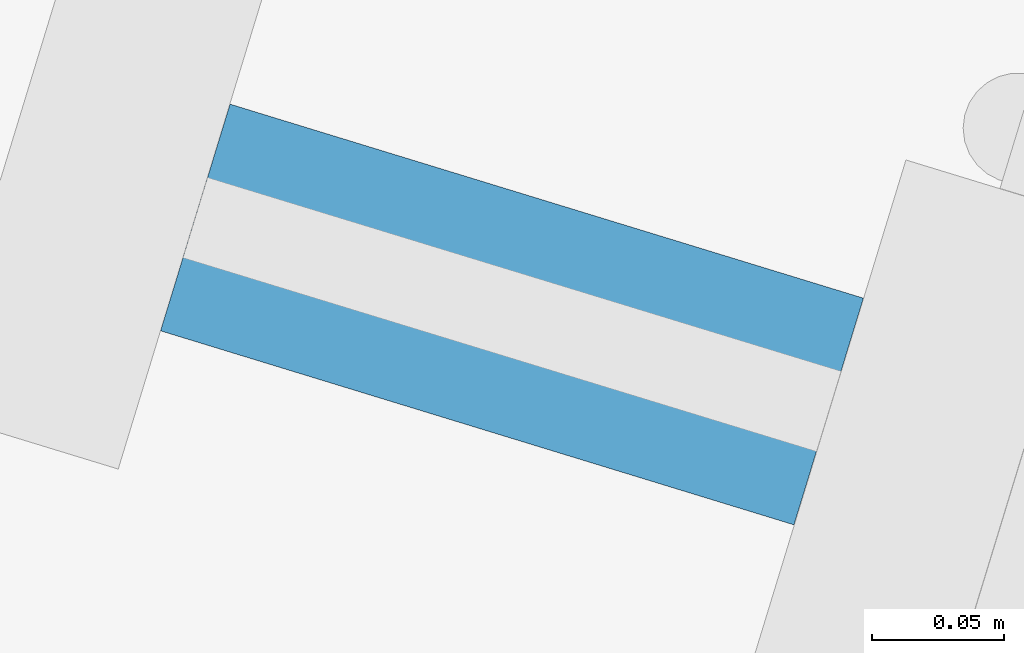
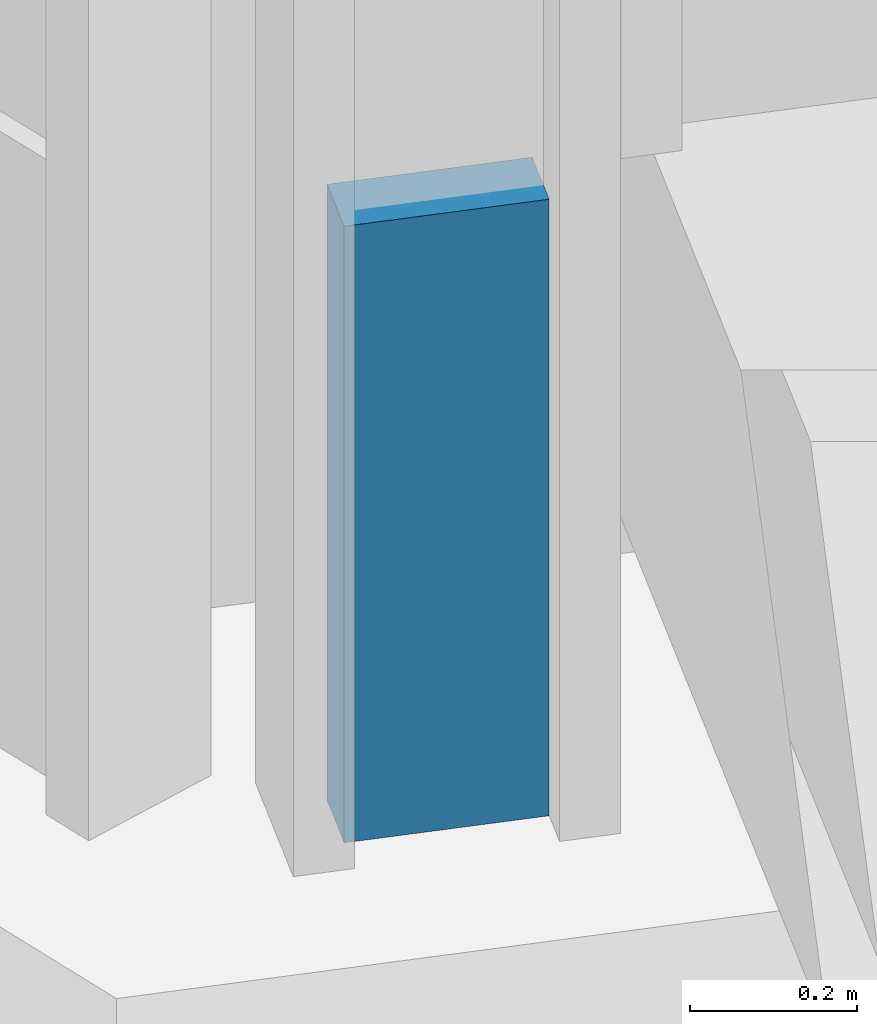
# One storey, part 11 of 25: 1 member, 1 element without a shape of its own.
"""IFC4 building model written with IfcOpenShell, lengths in metres."""

from ifc_helpers import new_model, si_unit, direction, frame, origin, origin_2d, place, context, subcontext, project, spatial, rectangle, extrude, source, transform, mapped, material, material_profile, profile_set, type_object, element, aggregate, save


model = new_model("IFC4")

# Units and contexts
model_context = context("Model", 3, precision=1e-05, world=origin(), true_north=direction((0.0, 1.0)))
body_context = subcontext(model_context, "Body", "Model", "MODEL_VIEW")
ifc_project = project(units=[si_unit("LENGTHUNIT", "METRE"), si_unit("AREAUNIT", "SQUARE_METRE"), si_unit("VOLUMEUNIT", "CUBIC_METRE"), si_unit("PLANEANGLEUNIT", "RADIAN"), si_unit("MASSUNIT", "GRAM", prefix="KILO")], contexts=[model_context])

# Site, building, storey
site_placement = place(None, origin())
site = spatial("IfcSite", under=ifc_project, at=site_placement, CompositionType="ELEMENT")
building_placement = place(site_placement, origin())
building = spatial("IfcBuilding", under=site, at=building_placement, Name="Triune Harvest Tower", CompositionType="ELEMENT")
storey_placement = place(building_placement, frame((0.0, 0.0, 98.300048828125)))
storey = spatial("IfcBuildingStorey", under=building, at=storey_placement, Name="L24", CompositionType="ELEMENT", Elevation=98.300048828125)

# Curtain wall, member
ifc_material_1 = material(Name="Aluminium bronze anodised", Category="aluminium")
curtain_wall_type = type_object("IfcCurtainWallType", Name="CW-1 Tower stick curtain wall", PredefinedType="NOTDEFINED", material=ifc_material_1)
curtain_wall_placement = place(storey_placement, origin())
curtain_wall = element("IfcCurtainWall", 1, at=curtain_wall_placement, inside=storey, type_object=curtain_wall_type, Name="CW-1 B3-F5 L24 run 1")
ifc_material_2 = material(Name="Aluminium bronze anodised", Category="aluminium")
ifc_material_profile = material_profile(ifc_material_2, rectangle(XDim=0.090087890625, YDim=0.89990234375, at=origin_2d()), Name="TR-1 transom 90 x 900")
ifc_profile_set = profile_set([ifc_material_profile], Name="Aluminium bronze anodised")
member_type = type_object("IfcMemberType", Name="TR-1 transom 90 x 900", PredefinedType="USERDEFINED", material=ifc_profile_set)
shared_shape = source(origin(), body_context, "Body", "SweptSolid", [
    extrude(rectangle(XDim=0.090087890625, YDim=0.89990234375, at=origin_2d()), origin(), (0.0, 0.0, 1.0), 0.251708984375),
])
member_placement = place(storey_placement, frame((-31.26025390625, -13.47314453125, 0.449951171875), z_axis=(0.956155630831, -0.292859026887, 0.0), x_axis=(0.292859026887, 0.956155630831, 0.0)))
member = element("IfcMember", 2, at=member_placement, type_object=member_type, Name="CW-1 transom B3-F5 1.1", ObjectType="TRANSOM", PredefinedType="USERDEFINED", context=body_context, shape_type="MappedRepresentation", body=[
    mapped(shared_shape, transform((0.0, 0.0, 0.0), scale=1.0)),
])
aggregate(curtain_wall, [member])

save(model, "model.ifc")
